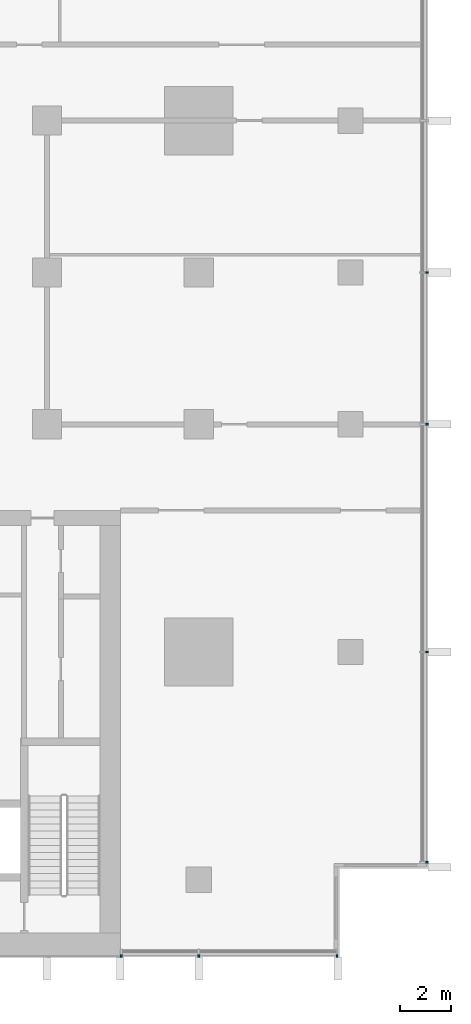
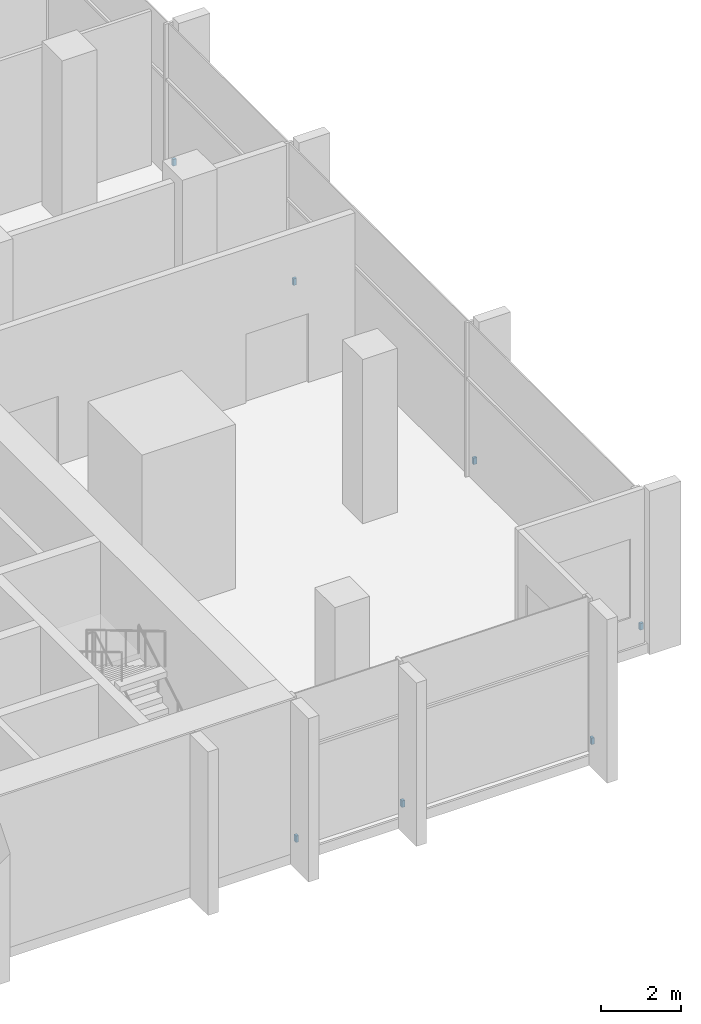
# One storey, part 11 of 14: 7 discrete accessories.
"""IFC4 building model written with IfcOpenShell, lengths in metres."""

from ifc_helpers import new_model, si_unit, direction, frame, origin, origin_2d, place, context, subcontext, project, spatial, rectangle, extrude, material, type_object, element, save


model = new_model("IFC4")

# Units and contexts
model_context = context("Model", 3, precision=1e-05, world=origin(), true_north=direction((0.0, 1.0)))
body_context = subcontext(model_context, "Body", "Model", "MODEL_VIEW")
ifc_project = project(units=[si_unit("LENGTHUNIT", "METRE"), si_unit("AREAUNIT", "SQUARE_METRE"), si_unit("VOLUMEUNIT", "CUBIC_METRE"), si_unit("PLANEANGLEUNIT", "RADIAN"), si_unit("MASSUNIT", "GRAM", prefix="KILO")], contexts=[model_context])

# Site, building, storey
site_placement = place(None, origin())
site = spatial("IfcSite", under=ifc_project, at=site_placement, CompositionType="ELEMENT")
building_placement = place(site_placement, origin())
building = spatial("IfcBuilding", under=site, at=building_placement, Name="Finial Court Residences", CompositionType="ELEMENT")
storey_placement = place(building_placement, frame((0.0, 0.0, 133.89990234375)))
storey = spatial("IfcBuildingStorey", under=building, at=storey_placement, Name="L33", CompositionType="ELEMENT", Elevation=133.89990234375)

# Discrete accessories
ifc_material = material(Name="Stainless steel 316", Category="steel")
discrete_accessory_type = type_object("IfcDiscreteAccessoryType", Name="Fin bracket, stainless steel 75 x 98 x 200", PredefinedType="BRACKET", material=ifc_material)
for number, where, z_axis, x_axis, name in (
    (1, (25.51123046875, -21.8125, 0.30029296875), (0.0, 0.0, 1.0), (1.0, 0.0, 0.0), "E-L33-FIN-E9-BRK"),
    (2, (25.51123046875, -13.5, 0.30029296875), (0.0, 0.0, 1.0), (1.0, 0.0, 0.0), "E-L33-FIN-E10-BRK"),
    (3, (25.51123046875, -4.5, 0.30029296875), (0.0, 0.0, 1.0), (1.0, 0.0, 0.0), "E-L33-FIN-E11-BRK"),
    (4, (25.51123046875, 1.5, 0.30029296875), (0.0, 0.0, 1.0), (1.0, 0.0, 0.0), "E-L33-FIN-E12-BRK"),
):
    element("IfcDiscreteAccessory", number, at=place(storey_placement, frame(where, z_axis=z_axis, x_axis=x_axis)), inside=storey, type_object=discrete_accessory_type, Name=name, PredefinedType="BRACKET", context=body_context, shape_type="SweptSolid", body=[
        extrude(rectangle(XDim=0.097412109375, YDim=0.074951171875, at=origin_2d()), origin(), (0.0, 0.0, 1.0), 0.199951171875),
    ])
for number, where, z_axis, x_axis, name in (
    (5, (13.4375, -25.51123046875, 0.30029296875), (0.0, 0.0, 1.0), (1.0, 0.0, 0.0), "E-L33-FIN-S23-BRK"),
    (6, (16.5, -25.51123046875, 0.30029296875), (0.0, 0.0, 1.0), (1.0, 0.0, 0.0), "E-L33-FIN-S24-BRK"),
    (7, (21.96240234375, -25.51123046875, 0.30029296875), (0.0, 0.0, 1.0), (1.0, 0.0, 0.0), "E-L33-FIN-S25-BRK"),
):
    element("IfcDiscreteAccessory", number, at=place(storey_placement, frame(where, z_axis=z_axis, x_axis=x_axis)), inside=storey, type_object=discrete_accessory_type, Name=name, PredefinedType="BRACKET", context=body_context, shape_type="SweptSolid", body=[
        extrude(rectangle(XDim=0.074951171875, YDim=0.097412109375, at=origin_2d()), origin(), (0.0, 0.0, 1.0), 0.199951171875),
    ])

save(model, "model.ifc")
